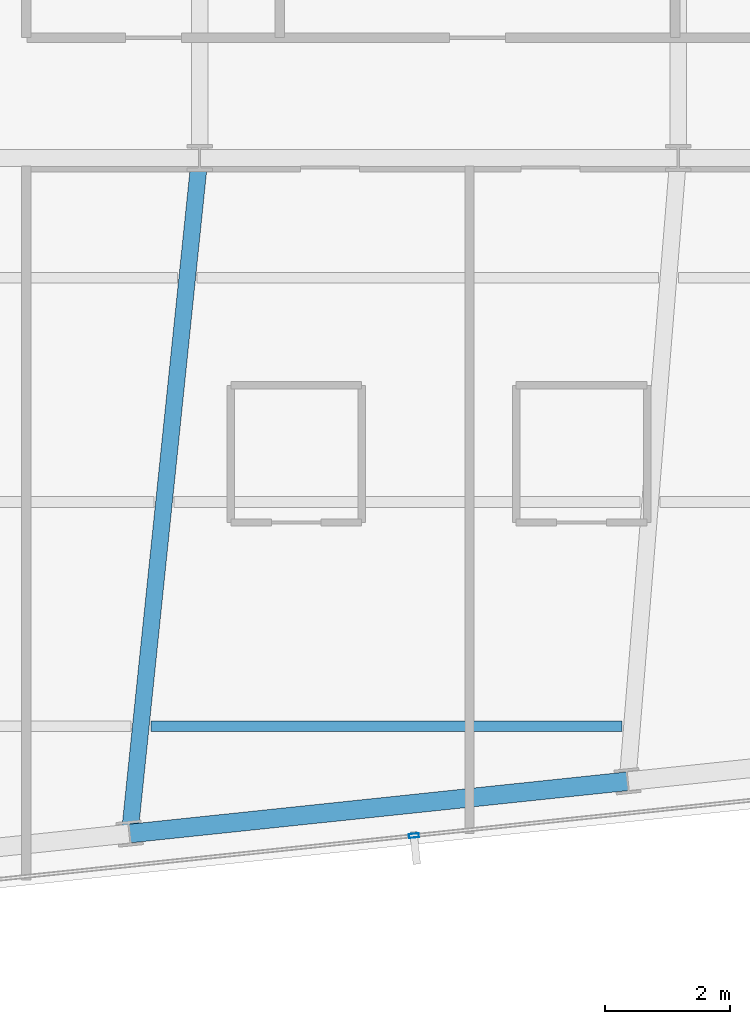
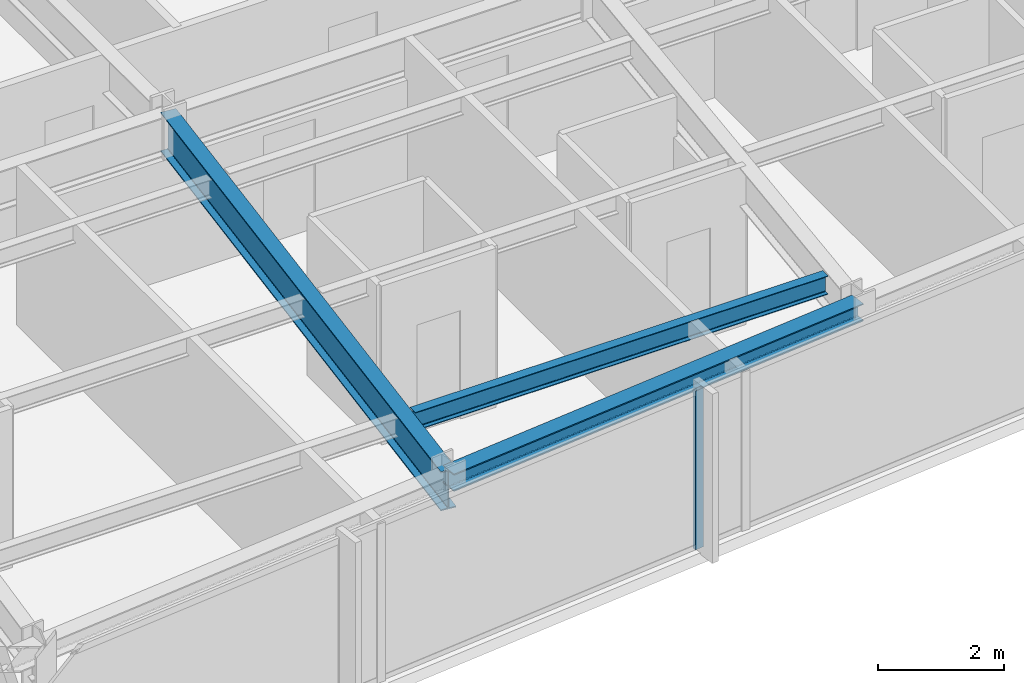
# One storey, part 8 of 33: 3 beams, 1 member, 1 element without a shape of its own.
"""IFC4 building model written with IfcOpenShell, lengths in metres."""

from ifc_helpers import new_model, si_unit, direction, frame, origin, origin_2d, place, context, subcontext, project, spatial, hollow_rectangle, i_section, extrude, material, material_profile, profile_set, type_object, element, aggregate, save


model = new_model("IFC4")

# Units and contexts
model_context = context("Model", 3, precision=1e-05, world=origin(), true_north=direction((0.0, 1.0)))
body_context = subcontext(model_context, "Body", "Model", "MODEL_VIEW")
ifc_project = project(units=[si_unit("LENGTHUNIT", "METRE"), si_unit("AREAUNIT", "SQUARE_METRE"), si_unit("VOLUMEUNIT", "CUBIC_METRE"), si_unit("PLANEANGLEUNIT", "RADIAN"), si_unit("MASSUNIT", "GRAM", prefix="KILO")], contexts=[model_context])

# Site, building, storey
site_placement = place(None, origin())
site = spatial("IfcSite", under=ifc_project, at=site_placement, CompositionType="ELEMENT")
building_placement = place(site_placement, origin())
building = spatial("IfcBuilding", under=site, at=building_placement, Name="Yelkora Congress Tower", CompositionType="ELEMENT")
storey_placement = place(building_placement, frame((0.0, 0.0, 240.800048828125)))
storey = spatial("IfcBuildingStorey", under=building, at=storey_placement, Name="L67", CompositionType="ELEMENT", Elevation=240.800048828125)

# Beams
ifc_material_1 = material(Name="Steel S355J2", Category="steel")
ifc_material_profile_1 = material_profile(ifc_material_1, i_section(OverallWidth=0.26708984375, OverallDepth=0.761962890625, WebThickness=0.014404296875, FlangeThickness=0.021484375, FilletRadius=0.01708984375, at=origin_2d()), Name="IPE 750x173")
ifc_profile_set_1 = profile_set([ifc_material_profile_1], Name="Steel S355J2")
beam_type_1 = type_object("IfcBeamType", Name="BM-GIRD-IPE750", PredefinedType="BEAM", material=ifc_profile_set_1)
beam_1_placement = place(storey_placement, frame((37.277587890625, 14.35791015625, 2.698974609375), z_axis=(0.102964870035, 0.99468499312, 0.0), x_axis=(-0.99468499312, 0.102964870035, 0.0)))
element("IfcBeam", 1, at=beam_1_placement, inside=storey, type_object=beam_type_1, Name="L67 Primary Frame Girder S03", PredefinedType="BEAM", context=body_context, shape_type="SweptSolid", body=[
    extrude(i_section(OverallWidth=0.26708984375, OverallDepth=0.761962890625, WebThickness=0.014404296875, FlangeThickness=0.021484375, FilletRadius=0.01708984375, at=origin_2d()), origin(), (0.0, 0.0, 1.0), 10.89990234375),
])
ifc_material_profile_2 = material_profile(ifc_material_1, i_section(OverallWidth=0.169921875, OverallDepth=0.360107421875, WebThickness=0.008056640625, FlangeThickness=0.0126953125, FilletRadius=0.01806640625, at=origin_2d()), Name="IPE 360")
ifc_profile_set_2 = profile_set([ifc_material_profile_2], Name="Steel S355J2")
beam_type_2 = type_object("IfcBeamType", Name="BM-JOIST-IPE360", PredefinedType="JOIST", material=ifc_profile_set_2)
beam_2_placement = place(storey_placement, frame((37.61572265625, 16.07861328125, 2.89990234375), z_axis=(1.0, 0.0, 0.0), x_axis=(0.0, 1.0, 0.0)))
element("IfcBeam", 2, at=beam_2_placement, inside=storey, type_object=beam_type_2, Name="L67 Composite Floor Joist 2", PredefinedType="JOIST", context=body_context, shape_type="SweptSolid", body=[
    extrude(i_section(OverallWidth=0.169921875, OverallDepth=0.360107421875, WebThickness=0.008056640625, FlangeThickness=0.0126953125, FilletRadius=0.01806640625, at=origin_2d()), origin(), (0.0, 0.0, 1.0), 7.56298828125),
])
ifc_material_profile_3 = material_profile(ifc_material_1, i_section(OverallWidth=0.300048828125, OverallDepth=0.340087890625, WebThickness=0.011962890625, FlangeThickness=0.021484375, FilletRadius=0.027099609375, at=origin_2d()), Name="HEB 340")
ifc_profile_set_3 = profile_set([ifc_material_profile_3], Name="Steel S355J2")
beam_type_3 = type_object("IfcBeamType", Name="BM-SPAN-HEB340", PredefinedType="SPANDREL", material=ifc_profile_set_3)
beam_3_placement = place(storey_placement, frame((37.277587890625, 14.35791015625, 2.909912109375), z_axis=(0.99452358891, 0.104512349038, 0.0), x_axis=(-0.104512349038, 0.99452358891, 0.0)))
element("IfcBeam", 3, at=beam_3_placement, inside=storey, type_object=beam_type_3, Name="L67 Perimeter Beam 5", PredefinedType="SPANDREL", context=body_context, shape_type="SweptSolid", body=[
    extrude(i_section(OverallWidth=0.300048828125, OverallDepth=0.340087890625, WebThickness=0.011962890625, FlangeThickness=0.021484375, FilletRadius=0.027099609375, at=origin_2d()), origin(), (0.0, 0.0, 1.0), 8.033447265625),
])

# Curtain wall, member
ifc_material_2 = material(Name="Anodised aluminium and insulated glass", Category="aluminium")
curtain_wall_type = type_object("IfcCurtainWallType", Name="CW-SYS-B4", PredefinedType="NOTDEFINED", material=ifc_material_2)
curtain_wall_placement = place(storey_placement, origin())
curtain_wall = element("IfcCurtainWall", 4, at=curtain_wall_placement, inside=storey, type_object=curtain_wall_type, Name="L67 Unitised Curtain Wall 20", PredefinedType="NOTDEFINED")
ifc_material_3 = material(Name="Anodised aluminium 6063-T6", Category="aluminium")
ifc_material_profile_4 = material_profile(ifc_material_3, hollow_rectangle(XDim=0.06494140625, YDim=0.159912109375, WallThickness=0.00390625, at=origin_2d()), Name="ALU 65x160x4")
ifc_profile_set_4 = profile_set([ifc_material_profile_4], Name="Anodised aluminium 6063-T6")
member_type = type_object("IfcMemberType", Name="MEM-ML-B4", PredefinedType="MULLION", material=ifc_profile_set_4)
member_placement = place(storey_placement, frame((41.838134765625, 14.324462890625, 0.0), z_axis=(0.0, 0.0, 1.0), x_axis=(0.104526664994, -0.994522084373, 0.0)))
member = element("IfcMember", 5, at=member_placement, type_object=member_type, Name="CW-B4 mullion 5", PredefinedType="MULLION", context=body_context, shape_type="SweptSolid", body=[
    extrude(hollow_rectangle(XDim=0.06494140625, YDim=0.159912109375, WallThickness=0.00390625, at=origin_2d()), origin(), (0.0, 0.0, 1.0), 3.079833984375),
])
aggregate(curtain_wall, [member])

save(model, "model.ifc")
